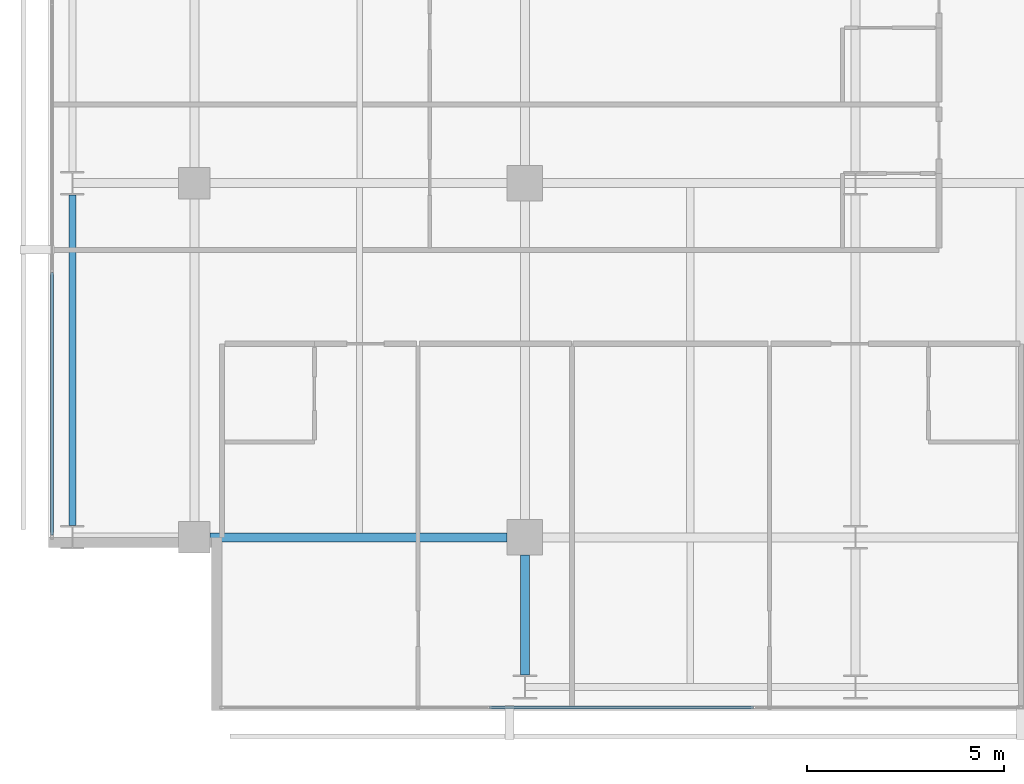
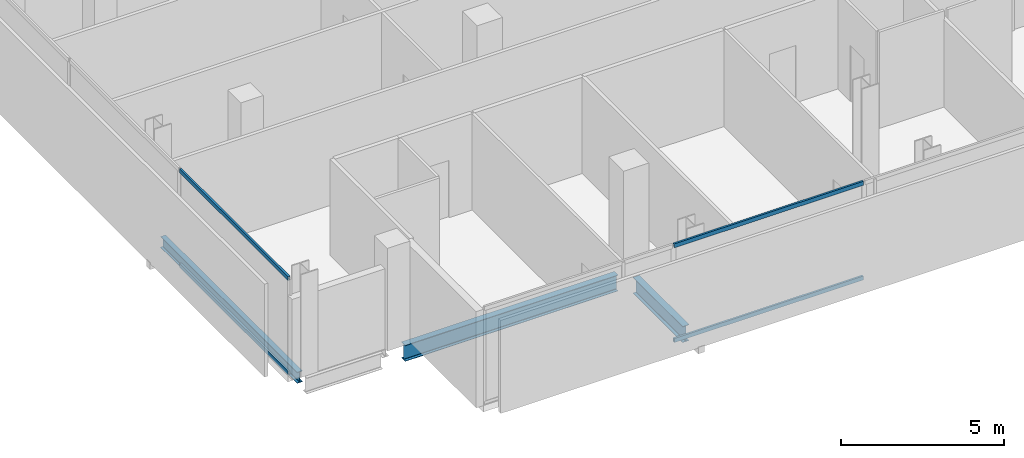
# One storey, part 3 of 34: 4 members, 3 beams, 2 elements without a shape of their own.
"""IFC4 building model written with IfcOpenShell, lengths in metres."""

from ifc_helpers import new_model, si_unit, direction, frame, origin, origin_2d, place, context, subcontext, project, spatial, hollow_rectangle, i_section, extrude, material, layer, layer_set, material_profile, profile_set, type_object, element, aggregate, save


model = new_model("IFC4")

# Units and contexts
model_context = context("Model", 3, precision=1e-05, world=origin(), true_north=direction((0.0, 1.0)))
body_context = subcontext(model_context, "Body", "Model", "MODEL_VIEW")
ifc_project = project(units=[si_unit("LENGTHUNIT", "METRE"), si_unit("AREAUNIT", "SQUARE_METRE"), si_unit("VOLUMEUNIT", "CUBIC_METRE"), si_unit("PLANEANGLEUNIT", "RADIAN"), si_unit("MASSUNIT", "GRAM", prefix="KILO")], contexts=[model_context])

# Site, building, storey
site_placement = place(None, origin())
site = spatial("IfcSite", under=ifc_project, at=site_placement, CompositionType="ELEMENT")
building_placement = place(site_placement, origin())
building = spatial("IfcBuilding", under=site, at=building_placement, Name="Maruvema Waterfront Hotel and Observation Tower", CompositionType="ELEMENT")
storey_placement = place(building_placement, frame((0.0, 0.0, 185.14990234375)))
storey = spatial("IfcBuildingStorey", under=building, at=storey_placement, Name="L45", CompositionType="ELEMENT", Elevation=185.14990234375)

# Curtain wall, members
ifc_material_1 = material(Name="Anodised bronze aluminium and solar-control low-E IGU", Category="aluminium")
ifc_layer = layer(ifc_material_1, 0.159912109375, Name="Zone 2 Amber Inner Thermal Curtain Wall System CW-03")
ifc_layer_set = layer_set([ifc_layer], Name="Anodised bronze aluminium and solar-control low-E IGU")
curtain_wall_type = type_object("IfcCurtainWallType", Name="Zone 2 Amber Inner Thermal Curtain Wall System CW-03", PredefinedType="USERDEFINED", material=ifc_layer_set)
curtain_wall_1_placement = place(storey_placement, origin())
curtain_wall_1 = element("IfcCurtainWall", 1, at=curtain_wall_1_placement, inside=storey, type_object=curtain_wall_type, Name="L45 Curtain Wall CW-L45-S", ObjectType="UNITISED CURTAIN WALL", PredefinedType="USERDEFINED")
ifc_material_2 = material(Name="Anodised architectural bronze aluminium", Category="aluminium")
ifc_material_profile_1 = material_profile(ifc_material_2, hollow_rectangle(XDim=0.070068359375, YDim=0.14990234375, WallThickness=0.00390625, at=origin_2d()), Name="ALU-T70x150")
ifc_profile_set_1 = profile_set([ifc_material_profile_1], Name="Anodised architectural bronze aluminium")
member_type = type_object("IfcMemberType", Name="Curtain Wall Horizontal Transom ALU-T70x150", PredefinedType="USERDEFINED", material=ifc_profile_set_1)
member_1_placement = place(storey_placement, frame((24.296630859375, 4.679931640625, 0.030029296875), z_axis=(1.0, 0.0, 0.0), x_axis=(0.0, 1.0, 0.0)))
member_1 = element("IfcMember", 2, at=member_1_placement, type_object=member_type, Name="CW-03 transom 2.1", ObjectType="TRANSOM", PredefinedType="USERDEFINED", context=body_context, shape_type="SweptSolid", body=[
    extrude(hollow_rectangle(XDim=0.070068359375, YDim=0.14990234375, WallThickness=0.00390625, at=origin_2d()), origin(), (0.0, 0.0, 1.0), 6.706787109375),
])
member_2_placement = place(storey_placement, frame((24.296630859375, 4.679931640625, 3.580078125), z_axis=(1.0, 0.0, 0.0), x_axis=(0.0, 1.0, 0.0)))
member_2 = element("IfcMember", 3, at=member_2_placement, type_object=member_type, Name="CW-03 transom 2.2", ObjectType="TRANSOM", PredefinedType="USERDEFINED", context=body_context, shape_type="SweptSolid", body=[
    extrude(hollow_rectangle(XDim=0.070068359375, YDim=0.14990234375, WallThickness=0.00390625, at=origin_2d()), origin(), (0.0, 0.0, 1.0), 6.706787109375),
])
aggregate(curtain_wall_1, [member_1, member_2])

curtain_wall_2_placement = place(storey_placement, origin())
curtain_wall_2 = element("IfcCurtainWall", 4, at=curtain_wall_2_placement, inside=storey, type_object=curtain_wall_type, Name="L45 Curtain Wall CW-L45-W", ObjectType="UNITISED CURTAIN WALL", PredefinedType="USERDEFINED")
member_3_placement = place(storey_placement, frame((13.179931640625, 15.736572265625, 0.030029296875), z_axis=(0.0, -1.0, 0.0), x_axis=(1.0, 0.0, 0.0)))
member_3 = element("IfcMember", 5, at=member_3_placement, type_object=member_type, Name="CW-03 transom 6.1", ObjectType="TRANSOM", PredefinedType="USERDEFINED", context=body_context, shape_type="SweptSolid", body=[
    extrude(hollow_rectangle(XDim=0.070068359375, YDim=0.14990234375, WallThickness=0.00390625, at=origin_2d()), origin(), (0.0, 0.0, 1.0), 6.676513671875),
])
member_4_placement = place(storey_placement, frame((13.179931640625, 15.736572265625, 3.580078125), z_axis=(0.0, -1.0, 0.0), x_axis=(1.0, 0.0, 0.0)))
member_4 = element("IfcMember", 6, at=member_4_placement, type_object=member_type, Name="CW-03 transom 6.2", ObjectType="TRANSOM", PredefinedType="USERDEFINED", context=body_context, shape_type="SweptSolid", body=[
    extrude(hollow_rectangle(XDim=0.070068359375, YDim=0.14990234375, WallThickness=0.00390625, at=origin_2d()), origin(), (0.0, 0.0, 1.0), 6.676513671875),
])
aggregate(curtain_wall_2, [member_3, member_4])

# Beams
ifc_material_3 = material(Name="Steel ASTM A572 Grade 50", Category="steel")
ifc_material_profile_2 = material_profile(ifc_material_3, i_section(OverallWidth=0.180908203125, OverallDepth=0.4169921875, WebThickness=0.010986328125, FlangeThickness=0.018310546875, FilletRadius=0.014892578125, at=origin_2d()), Name="W410x85.0")
ifc_profile_set_2 = profile_set([ifc_material_profile_2], Name="Steel ASTM A572 Grade 50")
beam_type_1 = type_object("IfcBeamType", Name="Perimeter Spandrel Beam W410x85.0", PredefinedType="SPANDREL", material=ifc_profile_set_2)
beam_1_placement = place(storey_placement, frame((13.699951171875, 9.300048828125, -0.448486328125), z_axis=(0.0, 1.0, 0.0), x_axis=(-1.0, 0.0, 0.0)))
element("IfcBeam", 7, at=beam_1_placement, inside=storey, type_object=beam_type_1, Name="L45 Floor Girder NS-01", PredefinedType="SPANDREL", context=body_context, shape_type="SweptSolid", body=[
    extrude(i_section(OverallWidth=0.180908203125, OverallDepth=0.4169921875, WebThickness=0.010986328125, FlangeThickness=0.018310546875, FilletRadius=0.014892578125, at=origin_2d()), origin(), (0.0, 0.0, 1.0), 8.39990234375),
])
ifc_material_4 = material(Name="Steel ASTM A572 Grade 50", Category="steel")
ifc_material_profile_3 = material_profile(ifc_material_4, i_section(OverallWidth=0.22802734375, OverallDepth=0.60302734375, WebThickness=0.010498046875, FlangeThickness=0.014892578125, FilletRadius=0.01806640625, at=origin_2d()), Name="W610x101.0")
ifc_profile_set_3 = profile_set([ifc_material_profile_3], Name="Steel ASTM A572 Grade 50")
beam_type_2 = type_object("IfcBeamType", Name="Primary Floor Girder W610x101.0", PredefinedType="BEAM", material=ifc_profile_set_3)
beam_2_placement = place(storey_placement, frame((17.199951171875, 9.0, -0.54150390625), z_axis=(1.0, 0.0, 0.0), x_axis=(0.0, 1.0, 0.0)))
element("IfcBeam", 8, at=beam_2_placement, inside=storey, type_object=beam_type_2, Name="L45 Floor Girder EW-05", PredefinedType="BEAM", context=body_context, shape_type="SweptSolid", body=[
    extrude(i_section(OverallWidth=0.22802734375, OverallDepth=0.60302734375, WebThickness=0.010498046875, FlangeThickness=0.014892578125, FilletRadius=0.01806640625, at=origin_2d()), origin(), (0.0, 0.0, 1.0), 7.550048828125),
])
beam_3_placement = place(storey_placement, frame((25.199951171875, 5.5, -0.54150390625), z_axis=(0.0, 1.0, 0.0), x_axis=(-1.0, 0.0, 0.0)))
element("IfcBeam", 9, at=beam_3_placement, inside=storey, type_object=beam_type_2, Name="L45 Floor Girder NS-09", PredefinedType="BEAM", context=body_context, shape_type="SweptSolid", body=[
    extrude(i_section(OverallWidth=0.22802734375, OverallDepth=0.60302734375, WebThickness=0.010498046875, FlangeThickness=0.014892578125, FilletRadius=0.01806640625, at=origin_2d()), origin(), (0.0, 0.0, 1.0), 3.050048828125),
])

save(model, "model.ifc")
